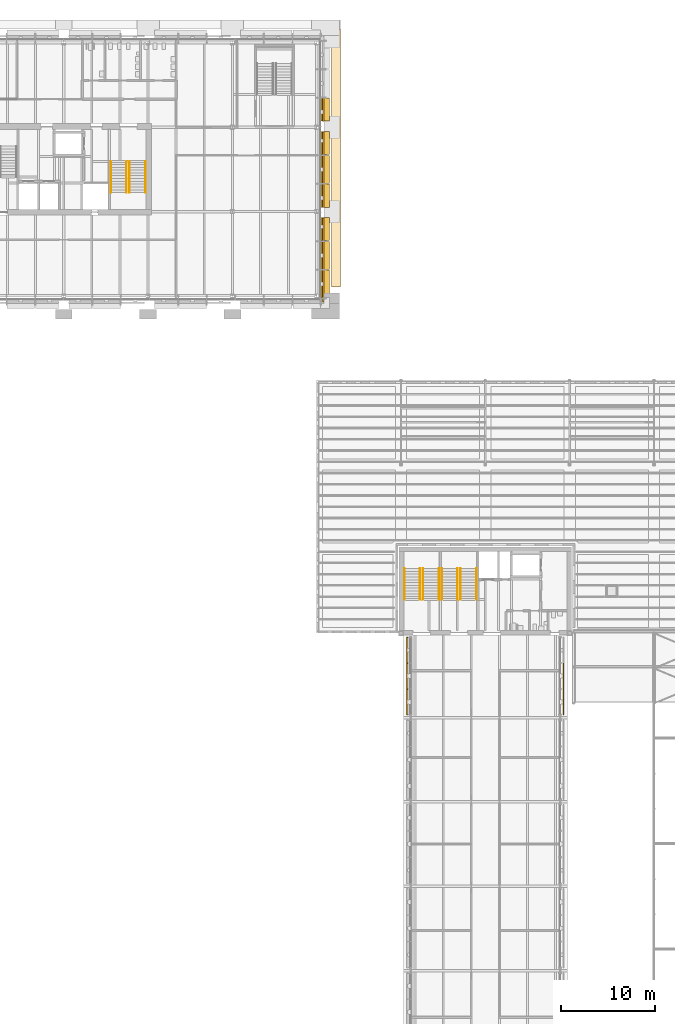
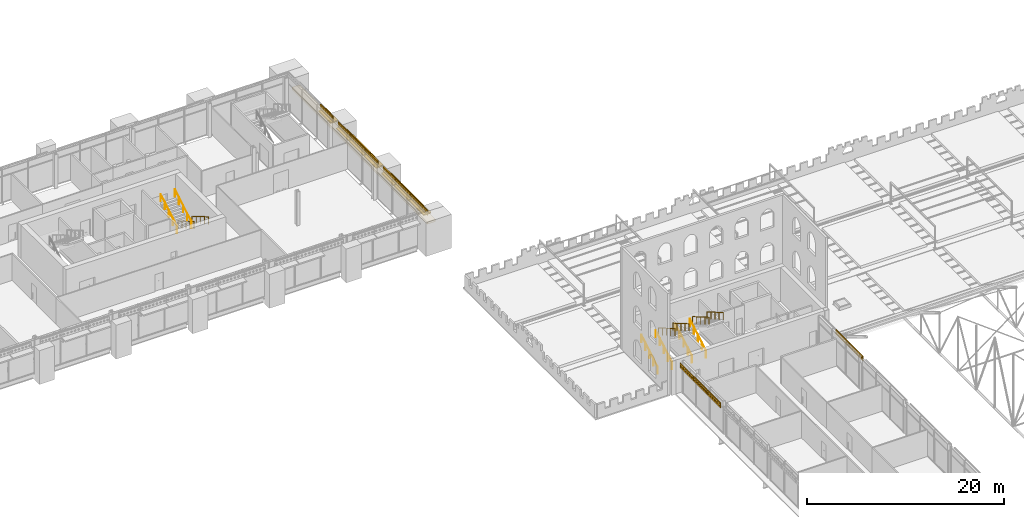
# One storey, part 142 of 153: 19 shading devices, 12 railings, 1 covering.
"""IFC4 building model written with IfcOpenShell, lengths in metres."""

from ifc_helpers import new_model, si_unit, direction, frame, origin, origin_2d, place, context, subcontext, project, spatial, polyline, rectangle, circle, outline, extrude, material, layer, layer_set, type_object, element, save


model = new_model("IFC4")

# Units and contexts
model_context = context("Model", 3, precision=1e-05, world=origin(), true_north=direction((0.0, 1.0)))
body_context = subcontext(model_context, "Body", "Model", "MODEL_VIEW")
ifc_project = project(units=[si_unit("LENGTHUNIT", "METRE"), si_unit("AREAUNIT", "SQUARE_METRE"), si_unit("VOLUMEUNIT", "CUBIC_METRE"), si_unit("PLANEANGLEUNIT", "RADIAN"), si_unit("MASSUNIT", "GRAM", prefix="KILO")], contexts=[model_context])

# Site, building, storey
site_placement = place(None, origin())
site = spatial("IfcSite", under=ifc_project, at=site_placement, CompositionType="ELEMENT")
building_placement = place(site_placement, origin())
building = spatial("IfcBuilding", under=site, at=building_placement, Name="Baradari Gate Terminus", CompositionType="ELEMENT")
storey_placement = place(building_placement, frame((0.0, 0.0, 11.699951171875)))
storey = spatial("IfcBuildingStorey", under=building, at=storey_placement, Name="L02", CompositionType="ELEMENT", Elevation=11.699951171875)

# Shading devices
ifc_material_1 = material(Name="Concrete C40/50 precast", Category="concrete")
ifc_layer_1 = layer(ifc_material_1, 0.14990234375)
ifc_layer_set_1 = layer_set([ifc_layer_1], Name="Concrete C40/50 precast")
shading_device_type_1 = type_object("IfcShadingDeviceType", Name="Chhajja band CJ-1 900x150", PredefinedType="AWNING", material=ifc_layer_set_1)
shading_device_1_placement = place(storey_placement, frame((63.919921875, 118.2763671875, 3.33251953125), z_axis=(0.0, 0.0, 1.0), x_axis=(0.0, 1.0, 0.0)))
element("IfcShadingDevice", 1, at=shading_device_1_placement, inside=storey, type_object=shading_device_type_1, Name="Chhajja band CJ-1 L02/TE bay 1", PredefinedType="AWNING", context=body_context, shape_type="SweptSolid", body=[
    extrude(rectangle(XDim=2.947509765625, YDim=0.89990234375, at=origin_2d()), origin(), (0.0, 0.0, 1.0), 0.14990234375),
])
shading_device_2_placement = place(storey_placement, frame((63.919921875, 121.320068359375, 3.33251953125), z_axis=(0.0, 0.0, 1.0), x_axis=(0.0, 1.0, 0.0)))
element("IfcShadingDevice", 2, at=shading_device_2_placement, inside=storey, type_object=shading_device_type_1, Name="Chhajja band CJ-1 L02/TE bay 2", PredefinedType="AWNING", context=body_context, shape_type="SweptSolid", body=[
    extrude(rectangle(XDim=2.97998046875, YDim=0.89990234375, at=origin_2d()), origin(), (0.0, 0.0, 1.0), 0.14990234375),
])
for number, where, z_axis, x_axis, name in (
    (3, (63.919921875, 124.125, 3.33251953125), (0.0, 0.0, 1.0), (0.0, 1.0, 0.0), "Chhajja band CJ-1 L02/TE bay 3"),
    (4, (63.919921875, 127.695068359375, 3.33251953125), (0.0, 0.0, 1.0), (0.0, 1.0, 0.0), "Chhajja band CJ-1 L02/TE bay 4"),
):
    element("IfcShadingDevice", number, at=place(storey_placement, frame(where, z_axis=z_axis, x_axis=x_axis)), inside=storey, type_object=shading_device_type_1, Name=name, PredefinedType="AWNING", context=body_context, shape_type="SweptSolid", body=[
        extrude(rectangle(XDim=2.469970703125, YDim=0.89990234375, at=origin_2d()), origin(), (0.0, 0.0, 1.0), 0.14990234375),
    ])
shading_device_3_placement = place(storey_placement, frame((63.919921875, 130.5, 3.33251953125), z_axis=(0.0, 0.0, 1.0), x_axis=(0.0, 1.0, 0.0)))
element("IfcShadingDevice", 5, at=shading_device_3_placement, inside=storey, type_object=shading_device_type_1, Name="Chhajja band CJ-1 L02/TE bay 5", PredefinedType="AWNING", context=body_context, shape_type="SweptSolid", body=[
    extrude(rectangle(XDim=2.97998046875, YDim=0.89990234375, at=origin_2d()), origin(), (0.0, 0.0, 1.0), 0.14990234375),
])
for number, where, z_axis, x_axis, name in (
    (6, (63.919921875, 133.304931640625, 3.33251953125), (0.0, 0.0, 1.0), (0.0, 1.0, 0.0), "Chhajja band CJ-1 L02/TE bay 6"),
    (7, (63.919921875, 136.875, 3.33251953125), (0.0, 0.0, 1.0), (0.0, 1.0, 0.0), "Chhajja band CJ-1 L02/TE bay 7"),
):
    element("IfcShadingDevice", number, at=place(storey_placement, frame(where, z_axis=z_axis, x_axis=x_axis)), inside=storey, type_object=shading_device_type_1, Name=name, PredefinedType="AWNING", context=body_context, shape_type="SweptSolid", body=[
        extrude(rectangle(XDim=2.469970703125, YDim=0.89990234375, at=origin_2d()), origin(), (0.0, 0.0, 1.0), 0.14990234375),
    ])

# Covering
ifc_material_2 = material(Name="Sandstone cladding", Category="masonry")
ifc_layer_2 = layer(ifc_material_2, 0.300048828125)
ifc_layer_set_2 = layer_set([ifc_layer_2], Name="Sandstone cladding")
covering_type = type_object("IfcCoveringType", Name="Cornice band CB-1 300", PredefinedType="CLADDING", material=ifc_layer_set_2)
covering_placement = place(storey_placement, frame((65.050048828125, 131.71240234375, 1.2001953125), z_axis=(0.0, 0.0, 1.0), x_axis=(1.0, 0.0, 0.0)))
element("IfcCovering", 8, at=covering_placement, inside=storey, type_object=covering_type, Name="Operations block arcade cornice east", PredefinedType="CLADDING", context=body_context, shape_type="SweptSolid", body=[
    extrude(rectangle(XDim=0.949951171875, YDim=27.52490234375, at=origin_2d()), origin(), (0.0, 0.0, 1.0), 0.300048828125),
])

# Railings
ifc_material_3 = material(Name="Stainless steel 1.4301", Category="steel")
railing_type = type_object("IfcRailingType", Name="Handrail HR-1 900", PredefinedType="HANDRAIL", material=ifc_material_3)
for number, where, name in (
    (9, (72.360107421875, 84.60009765625, 0.175048828125), "Handrail ST-GN1 L02 flight 1"),
    (10, (74.0400390625, 84.60009765625, 0.175048828125), "Handrail ST-GN1 L02 flight 1"),
):
    element("IfcRailing", number, at=place(storey_placement, frame(where)), inside=storey, type_object=railing_type, Name=name, PredefinedType="HANDRAIL", context=body_context, shape_type="SweptSolid", body=[
        extrude(circle(Radius=0.02392578125, at=origin_2d()), frame((0.0, 0.0, 0.8759765625), z_axis=(0.0, 0.863760357493, 0.503902812876), x_axis=(-1.0, 0.0, 0.0)), (0.0, 0.0, 1.0), 3.8203125),
        extrude(circle(Radius=0.02099609375, at=origin_2d()), origin(), (0.0, 0.0, 1.0), 0.851806640625),
        extrude(circle(Radius=0.02099609375, at=origin_2d()), frame((0.0, 0.824951171875, 0.481201171875)), (0.0, 0.0, 1.0), 0.851806640625),
        extrude(circle(Radius=0.02099609375, at=origin_2d()), frame((0.0, 1.64990234375, 0.96240234375)), (0.0, 0.0, 1.0), 0.851806640625),
        extrude(circle(Radius=0.02099609375, at=origin_2d()), frame((0.0, 2.474853515625, 1.44384765625)), (0.0, 0.0, 1.0), 0.851806640625),
        extrude(circle(Radius=0.02099609375, at=origin_2d()), frame((0.0, 3.2998046875, 1.925048828125)), (0.0, 0.0, 1.0), 0.851806640625),
    ])
for number, where, name in (
    (11, (74.360107421875, 87.89990234375, 2.275146484375), "Handrail ST-GN1 L02 flight 2"),
    (12, (76.0400390625, 87.89990234375, 2.275146484375), "Handrail ST-GN1 L02 flight 2"),
):
    element("IfcRailing", number, at=place(storey_placement, frame(where)), inside=storey, type_object=railing_type, Name=name, PredefinedType="HANDRAIL", context=body_context, shape_type="SweptSolid", body=[
        extrude(circle(Radius=0.02392578125, at=origin_2d()), frame((0.0, 0.0, 0.8759765625), z_axis=(0.0, -0.863788172461, 0.503855131081), x_axis=(1.0, 0.0, 0.0)), (0.0, 0.0, 1.0), 3.820068359375),
        extrude(circle(Radius=0.02099609375, at=origin_2d()), origin(), (0.0, 0.0, 1.0), 0.851806640625),
        extrude(circle(Radius=0.02099609375, at=origin_2d()), frame((0.0, -0.824951171875, 0.481201171875)), (0.0, 0.0, 1.0), 0.851806640625),
        extrude(circle(Radius=0.02099609375, at=origin_2d()), frame((0.0, -1.64990234375, 0.96240234375)), (0.0, 0.0, 1.0), 0.851806640625),
        extrude(circle(Radius=0.02099609375, at=origin_2d()), frame((0.0, -2.474853515625, 1.443603515625)), (0.0, 0.0, 1.0), 0.851806640625),
        extrude(circle(Radius=0.02099609375, at=origin_2d()), frame((0.0, -3.2998046875, 1.9248046875)), (0.0, 0.0, 1.0), 0.851806640625),
    ])
for number, where, name in (
    (13, (76.360107421875, 84.60009765625, 0.175048828125), "Handrail ST-GN2 L02 flight 1"),
    (14, (78.0400390625, 84.60009765625, 0.175048828125), "Handrail ST-GN2 L02 flight 1"),
):
    element("IfcRailing", number, at=place(storey_placement, frame(where)), inside=storey, type_object=railing_type, Name=name, PredefinedType="HANDRAIL", context=body_context, shape_type="SweptSolid", body=[
        extrude(circle(Radius=0.02392578125, at=origin_2d()), frame((0.0, 0.0, 0.8759765625), z_axis=(0.0, 0.863760357493, 0.503902812876), x_axis=(-1.0, 0.0, 0.0)), (0.0, 0.0, 1.0), 3.8203125),
        extrude(circle(Radius=0.02099609375, at=origin_2d()), origin(), (0.0, 0.0, 1.0), 0.851806640625),
        extrude(circle(Radius=0.02099609375, at=origin_2d()), frame((0.0, 0.824951171875, 0.481201171875)), (0.0, 0.0, 1.0), 0.851806640625),
        extrude(circle(Radius=0.02099609375, at=origin_2d()), frame((0.0, 1.64990234375, 0.96240234375)), (0.0, 0.0, 1.0), 0.851806640625),
        extrude(circle(Radius=0.02099609375, at=origin_2d()), frame((0.0, 2.474853515625, 1.44384765625)), (0.0, 0.0, 1.0), 0.851806640625),
        extrude(circle(Radius=0.02099609375, at=origin_2d()), frame((0.0, 3.2998046875, 1.925048828125)), (0.0, 0.0, 1.0), 0.851806640625),
    ])
for number, where, name in (
    (15, (78.360107421875, 87.89990234375, 2.275146484375), "Handrail ST-GN2 L02 flight 2"),
    (16, (80.0400390625, 87.89990234375, 2.275146484375), "Handrail ST-GN2 L02 flight 2"),
):
    element("IfcRailing", number, at=place(storey_placement, frame(where)), inside=storey, type_object=railing_type, Name=name, PredefinedType="HANDRAIL", context=body_context, shape_type="SweptSolid", body=[
        extrude(circle(Radius=0.02392578125, at=origin_2d()), frame((0.0, 0.0, 0.8759765625), z_axis=(0.0, -0.863788172461, 0.503855131081), x_axis=(1.0, 0.0, 0.0)), (0.0, 0.0, 1.0), 3.820068359375),
        extrude(circle(Radius=0.02099609375, at=origin_2d()), origin(), (0.0, 0.0, 1.0), 0.851806640625),
        extrude(circle(Radius=0.02099609375, at=origin_2d()), frame((0.0, -0.824951171875, 0.481201171875)), (0.0, 0.0, 1.0), 0.851806640625),
        extrude(circle(Radius=0.02099609375, at=origin_2d()), frame((0.0, -1.64990234375, 0.96240234375)), (0.0, 0.0, 1.0), 0.851806640625),
        extrude(circle(Radius=0.02099609375, at=origin_2d()), frame((0.0, -2.474853515625, 1.443603515625)), (0.0, 0.0, 1.0), 0.851806640625),
        extrude(circle(Radius=0.02099609375, at=origin_2d()), frame((0.0, -3.2998046875, 1.9248046875)), (0.0, 0.0, 1.0), 0.851806640625),
    ])
for number, where, name in (
    (17, (44.715087890625, 131.324951171875, 0.175048828125), "Handrail ST-T2 L02 flight 1"),
    (18, (43.034912109375, 131.324951171875, 0.175048828125), "Handrail ST-T2 L02 flight 1"),
):
    element("IfcRailing", number, at=place(storey_placement, frame(where)), inside=storey, type_object=railing_type, Name=name, PredefinedType="HANDRAIL", context=body_context, shape_type="SweptSolid", body=[
        extrude(circle(Radius=0.02392578125, at=origin_2d()), frame((0.0, 0.0, 0.8759765625), z_axis=(0.0, -0.863776583165, 0.503874998761), x_axis=(1.0, 0.0, 0.0)), (0.0, 0.0, 1.0), 3.820556640625),
        extrude(circle(Radius=0.02099609375, at=origin_2d()), origin(), (0.0, 0.0, 1.0), 0.851806640625),
        extrude(circle(Radius=0.02099609375, at=origin_2d()), frame((0.0, -0.824951171875, 0.481201171875)), (0.0, 0.0, 1.0), 0.851806640625),
        extrude(circle(Radius=0.02099609375, at=origin_2d()), frame((0.0, -1.64990234375, 0.96240234375)), (0.0, 0.0, 1.0), 0.851806640625),
        extrude(circle(Radius=0.02099609375, at=origin_2d()), frame((0.0, -2.47509765625, 1.44384765625)), (0.0, 0.0, 1.0), 0.851806640625),
        extrude(circle(Radius=0.02099609375, at=origin_2d()), frame((0.0, -3.300048828125, 1.925048828125)), (0.0, 0.0, 1.0), 0.851806640625),
    ])
for number, where, name in (
    (19, (42.715087890625, 128.02490234375, 2.275146484375), "Handrail ST-T2 L02 flight 2"),
    (20, (41.034912109375, 128.02490234375, 2.275146484375), "Handrail ST-T2 L02 flight 2"),
):
    element("IfcRailing", number, at=place(storey_placement, frame(where)), inside=storey, type_object=railing_type, Name=name, PredefinedType="HANDRAIL", context=body_context, shape_type="SweptSolid", body=[
        extrude(circle(Radius=0.02392578125, at=origin_2d()), frame((0.0, 0.0, 0.8759765625), z_axis=(0.0, 0.863804395585, 0.503827317807), x_axis=(-1.0, 0.0, 0.0)), (0.0, 0.0, 1.0), 3.8203125),
        extrude(circle(Radius=0.02099609375, at=origin_2d()), origin(), (0.0, 0.0, 1.0), 0.851806640625),
        extrude(circle(Radius=0.02099609375, at=origin_2d()), frame((0.0, 0.824951171875, 0.481201171875)), (0.0, 0.0, 1.0), 0.851806640625),
        extrude(circle(Radius=0.02099609375, at=origin_2d()), frame((0.0, 1.64990234375, 0.96240234375)), (0.0, 0.0, 1.0), 0.851806640625),
        extrude(circle(Radius=0.02099609375, at=origin_2d()), frame((0.0, 2.47509765625, 1.443603515625)), (0.0, 0.0, 1.0), 0.851806640625),
        extrude(circle(Radius=0.02099609375, at=origin_2d()), frame((0.0, 3.300048828125, 1.9248046875)), (0.0, 0.0, 1.0), 0.851806640625),
    ])

# Shading devices
ifc_material_4 = material(Name="Concrete C50/60 precast", Category="concrete")
ifc_layer_3 = layer(ifc_material_4, 0.10009765625)
ifc_layer_set_3 = layer_set([ifc_layer_3], Name="Concrete C50/60 precast")
shading_device_type_2 = type_object("IfcShadingDeviceType", Name="Jali screen panel JS-1 100", PredefinedType="SHUTTER", material=ifc_layer_set_3)
shading_device_4_placement = place(storey_placement, frame((63.719970703125, 116.362548828125, 3.583740234375), z_axis=(0.0, 0.0, 1.0), x_axis=(0.0, 1.0, 0.0)))
element("IfcShadingDevice", 21, at=shading_device_4_placement, inside=storey, type_object=shading_device_type_2, Name="Jali screen panel JS-1 L02/TE bay 1", PredefinedType="SHUTTER", context=body_context, shape_type="SweptSolid", body=[
    extrude(outline(polyline([(0.0, 0.0), (3.407470703125, 0.0), (3.407470703125, 0.60009765625), (0.0, 0.60009765625), (0.0, 0.0)]), holes=[polyline([(0.343017578125, 0.300048828125), (0.278076171875, 0.1875), (0.14794921875, 0.1875), (0.0830078125, 0.300048828125), (0.14794921875, 0.41259765625), (0.278076171875, 0.41259765625), (0.343017578125, 0.300048828125)]), polyline([(0.768798828125, 0.300048828125), (0.703857421875, 0.1875), (0.573974609375, 0.1875), (0.5087890625, 0.300048828125), (0.573974609375, 0.41259765625), (0.703857421875, 0.41259765625), (0.768798828125, 0.300048828125)]), polyline([(1.19482421875, 0.300048828125), (1.1298828125, 0.1875), (0.999755859375, 0.1875), (0.934814453125, 0.300048828125), (0.999755859375, 0.41259765625), (1.1298828125, 0.41259765625), (1.19482421875, 0.300048828125)]), polyline([(1.620849609375, 0.300048828125), (1.5556640625, 0.1875), (1.42578125, 0.1875), (1.36083984375, 0.300048828125), (1.42578125, 0.41259765625), (1.5556640625, 0.41259765625), (1.620849609375, 0.300048828125)]), polyline([(2.046630859375, 0.300048828125), (1.981689453125, 0.1875), (1.851806640625, 0.1875), (1.78662109375, 0.300048828125), (1.851806640625, 0.41259765625), (1.981689453125, 0.41259765625), (2.046630859375, 0.300048828125)]), polyline([(2.47265625, 0.300048828125), (2.40771484375, 0.1875), (2.277587890625, 0.1875), (2.212646484375, 0.300048828125), (2.277587890625, 0.41259765625), (2.40771484375, 0.41259765625), (2.47265625, 0.300048828125)]), polyline([(2.898681640625, 0.300048828125), (2.83349609375, 0.1875), (2.70361328125, 0.1875), (2.638671875, 0.300048828125), (2.70361328125, 0.41259765625), (2.83349609375, 0.41259765625), (2.898681640625, 0.300048828125)]), polyline([(3.324462890625, 0.300048828125), (3.259521484375, 0.1875), (3.129638671875, 0.1875), (3.064453125, 0.300048828125), (3.129638671875, 0.41259765625), (3.259521484375, 0.41259765625), (3.324462890625, 0.300048828125)])]), frame((0.0, 0.050048828125, 0.0), z_axis=(0.0, -1.0, 0.0), x_axis=(1.0, 0.0, 0.0)), (0.0, 0.0, 1.0), 0.10009765625),
])
shading_device_5_placement = place(storey_placement, frame((63.719970703125, 119.81005859375, 3.583740234375), z_axis=(0.0, 0.0, 1.0), x_axis=(0.0, 1.0, 0.0)))
element("IfcShadingDevice", 22, at=shading_device_5_placement, inside=storey, type_object=shading_device_type_2, Name="Jali screen panel JS-1 L02/TE bay 2", PredefinedType="SHUTTER", context=body_context, shape_type="SweptSolid", body=[
    extrude(outline(polyline([(0.0, 0.0), (3.02001953125, 0.0), (3.02001953125, 0.60009765625), (0.0, 0.60009765625), (0.0, 0.0)]), holes=[polyline([(0.345703125, 0.300048828125), (0.28076171875, 0.1875), (0.150634765625, 0.1875), (0.085693359375, 0.300048828125), (0.150634765625, 0.41259765625), (0.28076171875, 0.41259765625), (0.345703125, 0.300048828125)]), polyline([(0.777099609375, 0.300048828125), (0.712158203125, 0.1875), (0.58203125, 0.1875), (0.51708984375, 0.300048828125), (0.58203125, 0.41259765625), (0.712158203125, 0.41259765625), (0.777099609375, 0.300048828125)]), polyline([(1.20849609375, 0.300048828125), (1.1435546875, 0.1875), (1.013671875, 0.1875), (0.948486328125, 0.300048828125), (1.013671875, 0.41259765625), (1.1435546875, 0.41259765625), (1.20849609375, 0.300048828125)]), polyline([(1.639892578125, 0.300048828125), (1.574951171875, 0.1875), (1.445068359375, 0.1875), (1.3798828125, 0.300048828125), (1.445068359375, 0.41259765625), (1.574951171875, 0.41259765625), (1.639892578125, 0.300048828125)]), polyline([(2.071533203125, 0.300048828125), (2.00634765625, 0.1875), (1.87646484375, 0.1875), (1.8115234375, 0.300048828125), (1.87646484375, 0.41259765625), (2.00634765625, 0.41259765625), (2.071533203125, 0.300048828125)]), polyline([(2.5029296875, 0.300048828125), (2.437744140625, 0.1875), (2.307861328125, 0.1875), (2.242919921875, 0.300048828125), (2.307861328125, 0.41259765625), (2.437744140625, 0.41259765625), (2.5029296875, 0.300048828125)]), polyline([(2.934326171875, 0.300048828125), (2.869384765625, 0.1875), (2.7392578125, 0.1875), (2.67431640625, 0.300048828125), (2.7392578125, 0.41259765625), (2.869384765625, 0.41259765625), (2.934326171875, 0.300048828125)])]), frame((0.0, 0.050048828125, 0.0), z_axis=(0.0, -1.0, 0.0), x_axis=(1.0, 0.0, 0.0)), (0.0, 0.0, 1.0), 0.10009765625),
])
for number, where, z_axis, x_axis, name in (
    (23, (63.719970703125, 122.8701171875, 3.583740234375), (0.0, 0.0, 1.0), (0.0, 1.0, 0.0), "Jali screen panel JS-1 L02/TE bay 3"),
    (24, (63.719970703125, 126.4599609375, 3.583740234375), (0.0, 0.0, 1.0), (0.0, 1.0, 0.0), "Jali screen panel JS-1 L02/TE bay 4"),
):
    element("IfcShadingDevice", number, at=place(storey_placement, frame(where, z_axis=z_axis, x_axis=x_axis)), inside=storey, type_object=shading_device_type_2, Name=name, PredefinedType="SHUTTER", context=body_context, shape_type="SweptSolid", body=[
        extrude(outline(polyline([(0.0, 0.0), (2.489990234375, 0.0), (2.489990234375, 0.60009765625), (0.0, 0.60009765625), (0.0, 0.0)]), holes=[polyline([(0.33740234375, 0.300048828125), (0.2724609375, 0.1875), (0.142578125, 0.1875), (0.077392578125, 0.300048828125), (0.142578125, 0.41259765625), (0.2724609375, 0.41259765625), (0.33740234375, 0.300048828125)]), polyline([(0.75244140625, 0.300048828125), (0.6875, 0.1875), (0.5576171875, 0.1875), (0.492431640625, 0.300048828125), (0.5576171875, 0.41259765625), (0.6875, 0.41259765625), (0.75244140625, 0.300048828125)]), polyline([(1.16748046875, 0.300048828125), (1.1025390625, 0.1875), (0.972412109375, 0.1875), (0.907470703125, 0.300048828125), (0.972412109375, 0.41259765625), (1.1025390625, 0.41259765625), (1.16748046875, 0.300048828125)]), polyline([(1.58251953125, 0.300048828125), (1.517578125, 0.1875), (1.387451171875, 0.1875), (1.322509765625, 0.300048828125), (1.387451171875, 0.41259765625), (1.517578125, 0.41259765625), (1.58251953125, 0.300048828125)]), polyline([(1.99755859375, 0.300048828125), (1.9326171875, 0.1875), (1.802490234375, 0.1875), (1.737548828125, 0.300048828125), (1.802490234375, 0.41259765625), (1.9326171875, 0.41259765625), (1.99755859375, 0.300048828125)]), polyline([(2.41259765625, 0.300048828125), (2.347412109375, 0.1875), (2.217529296875, 0.1875), (2.152587890625, 0.300048828125), (2.217529296875, 0.41259765625), (2.347412109375, 0.41259765625), (2.41259765625, 0.300048828125)])]), frame((0.0, 0.050048828125, 0.0), z_axis=(0.0, -1.0, 0.0), x_axis=(1.0, 0.0, 0.0)), (0.0, 0.0, 1.0), 0.10009765625),
    ])
shading_device_6_placement = place(storey_placement, frame((63.719970703125, 128.989990234375, 3.583740234375), z_axis=(0.0, 0.0, 1.0), x_axis=(0.0, 1.0, 0.0)))
element("IfcShadingDevice", 25, at=shading_device_6_placement, inside=storey, type_object=shading_device_type_2, Name="Jali screen panel JS-1 L02/TE bay 5", PredefinedType="SHUTTER", context=body_context, shape_type="SweptSolid", body=[
    extrude(outline(polyline([(0.0, 0.0), (3.02001953125, 0.0), (3.02001953125, 0.60009765625), (0.0, 0.60009765625), (0.0, 0.0)]), holes=[polyline([(0.345703125, 0.300048828125), (0.28076171875, 0.1875), (0.150634765625, 0.1875), (0.085693359375, 0.300048828125), (0.150634765625, 0.41259765625), (0.28076171875, 0.41259765625), (0.345703125, 0.300048828125)]), polyline([(0.777099609375, 0.300048828125), (0.712158203125, 0.1875), (0.58203125, 0.1875), (0.51708984375, 0.300048828125), (0.58203125, 0.41259765625), (0.712158203125, 0.41259765625), (0.777099609375, 0.300048828125)]), polyline([(1.20849609375, 0.300048828125), (1.1435546875, 0.1875), (1.013671875, 0.1875), (0.948486328125, 0.300048828125), (1.013671875, 0.41259765625), (1.1435546875, 0.41259765625), (1.20849609375, 0.300048828125)]), polyline([(1.639892578125, 0.300048828125), (1.574951171875, 0.1875), (1.445068359375, 0.1875), (1.3798828125, 0.300048828125), (1.445068359375, 0.41259765625), (1.574951171875, 0.41259765625), (1.639892578125, 0.300048828125)]), polyline([(2.071533203125, 0.300048828125), (2.00634765625, 0.1875), (1.87646484375, 0.1875), (1.8115234375, 0.300048828125), (1.87646484375, 0.41259765625), (2.00634765625, 0.41259765625), (2.071533203125, 0.300048828125)]), polyline([(2.5029296875, 0.300048828125), (2.437744140625, 0.1875), (2.307861328125, 0.1875), (2.242919921875, 0.300048828125), (2.307861328125, 0.41259765625), (2.437744140625, 0.41259765625), (2.5029296875, 0.300048828125)]), polyline([(2.934326171875, 0.300048828125), (2.869384765625, 0.1875), (2.7392578125, 0.1875), (2.67431640625, 0.300048828125), (2.7392578125, 0.41259765625), (2.869384765625, 0.41259765625), (2.934326171875, 0.300048828125)])]), frame((0.0, 0.050048828125, 0.0), z_axis=(0.0, -1.0, 0.0), x_axis=(1.0, 0.0, 0.0)), (0.0, 0.0, 1.0), 0.10009765625),
])
for number, where, z_axis, x_axis, name in (
    (26, (63.719970703125, 132.050048828125, 3.583740234375), (0.0, 0.0, 1.0), (0.0, 1.0, 0.0), "Jali screen panel JS-1 L02/TE bay 6"),
    (27, (63.719970703125, 135.639892578125, 3.583740234375), (0.0, 0.0, 1.0), (0.0, 1.0, 0.0), "Jali screen panel JS-1 L02/TE bay 7"),
):
    element("IfcShadingDevice", number, at=place(storey_placement, frame(where, z_axis=z_axis, x_axis=x_axis)), inside=storey, type_object=shading_device_type_2, Name=name, PredefinedType="SHUTTER", context=body_context, shape_type="SweptSolid", body=[
        extrude(outline(polyline([(0.0, 0.0), (2.489990234375, 0.0), (2.489990234375, 0.60009765625), (0.0, 0.60009765625), (0.0, 0.0)]), holes=[polyline([(0.33740234375, 0.300048828125), (0.2724609375, 0.1875), (0.142578125, 0.1875), (0.077392578125, 0.300048828125), (0.142578125, 0.41259765625), (0.2724609375, 0.41259765625), (0.33740234375, 0.300048828125)]), polyline([(0.75244140625, 0.300048828125), (0.6875, 0.1875), (0.5576171875, 0.1875), (0.492431640625, 0.300048828125), (0.5576171875, 0.41259765625), (0.6875, 0.41259765625), (0.75244140625, 0.300048828125)]), polyline([(1.16748046875, 0.300048828125), (1.1025390625, 0.1875), (0.972412109375, 0.1875), (0.907470703125, 0.300048828125), (0.972412109375, 0.41259765625), (1.1025390625, 0.41259765625), (1.16748046875, 0.300048828125)]), polyline([(1.58251953125, 0.300048828125), (1.517578125, 0.1875), (1.387451171875, 0.1875), (1.322509765625, 0.300048828125), (1.387451171875, 0.41259765625), (1.517578125, 0.41259765625), (1.58251953125, 0.300048828125)]), polyline([(1.99755859375, 0.300048828125), (1.9326171875, 0.1875), (1.802490234375, 0.1875), (1.737548828125, 0.300048828125), (1.802490234375, 0.41259765625), (1.9326171875, 0.41259765625), (1.99755859375, 0.300048828125)]), polyline([(2.41259765625, 0.300048828125), (2.347412109375, 0.1875), (2.217529296875, 0.1875), (2.152587890625, 0.300048828125), (2.217529296875, 0.41259765625), (2.347412109375, 0.41259765625), (2.41259765625, 0.300048828125)])]), frame((0.0, 0.050048828125, 0.0), z_axis=(0.0, -1.0, 0.0), x_axis=(1.0, 0.0, 0.0)), (0.0, 0.0, 1.0), 0.10009765625),
    ])
ifc_material_5 = material(Name="Concrete C50/60 precast", Category="concrete")
ifc_layer_4 = layer(ifc_material_5, 0.080078125)
ifc_layer_set_4 = layer_set([ifc_layer_4], Name="Concrete C50/60 precast")
shading_device_type_3 = type_object("IfcShadingDeviceType", Name="Jali screen panel JS-3 80", PredefinedType="SHUTTER", material=ifc_layer_set_4)
shading_device_7_placement = place(storey_placement, frame((72.659912109375, 72.2900390625, 3.280029296875), z_axis=(0.0, 0.0, 1.0), x_axis=(0.0, 1.0, 0.0)))
element("IfcShadingDevice", 28, at=shading_device_7_placement, inside=storey, type_object=shading_device_type_3, Name="Jali screen panel JS-1 L02/GW5 bay 1", PredefinedType="SHUTTER", context=body_context, shape_type="SweptSolid", body=[
    extrude(outline(polyline([(0.0, 0.0), (2.723388671875, 0.0), (2.723388671875, 0.60009765625), (0.0, 0.60009765625), (0.0, 0.0)]), holes=[polyline([(0.35693359375, 0.300048828125), (0.2919921875, 0.1875), (0.161865234375, 0.1875), (0.096923828125, 0.300048828125), (0.161865234375, 0.41259765625), (0.2919921875, 0.41259765625), (0.35693359375, 0.300048828125)]), polyline([(0.810791015625, 0.300048828125), (0.745849609375, 0.1875), (0.61572265625, 0.1875), (0.55078125, 0.300048828125), (0.61572265625, 0.41259765625), (0.745849609375, 0.41259765625), (0.810791015625, 0.300048828125)]), polyline([(1.2646484375, 0.300048828125), (1.19970703125, 0.1875), (1.06982421875, 0.1875), (1.004638671875, 0.300048828125), (1.06982421875, 0.41259765625), (1.19970703125, 0.41259765625), (1.2646484375, 0.300048828125)]), polyline([(1.718505859375, 0.300048828125), (1.653564453125, 0.1875), (1.523681640625, 0.1875), (1.45849609375, 0.300048828125), (1.523681640625, 0.41259765625), (1.653564453125, 0.41259765625), (1.718505859375, 0.300048828125)]), polyline([(2.172607421875, 0.300048828125), (2.107421875, 0.1875), (1.9775390625, 0.1875), (1.91259765625, 0.300048828125), (1.9775390625, 0.41259765625), (2.107421875, 0.41259765625), (2.172607421875, 0.300048828125)]), polyline([(2.62646484375, 0.300048828125), (2.561279296875, 0.1875), (2.431396484375, 0.1875), (2.366455078125, 0.300048828125), (2.431396484375, 0.41259765625), (2.561279296875, 0.41259765625), (2.62646484375, 0.300048828125)])]), frame((0.0, 0.0400390625, 0.0), z_axis=(0.0, -1.0, 0.0), x_axis=(1.0, 0.0, 0.0)), (0.0, 0.0, 1.0), 0.080078125),
])
shading_device_8_placement = place(storey_placement, frame((72.659912109375, 75.05322265625, 3.280029296875), z_axis=(0.0, 0.0, 1.0), x_axis=(0.0, 1.0, 0.0)))
element("IfcShadingDevice", 29, at=shading_device_8_placement, inside=storey, type_object=shading_device_type_3, Name="Jali screen panel JS-1 L02/GW5 bay 2", PredefinedType="SHUTTER", context=body_context, shape_type="SweptSolid", body=[
    extrude(outline(polyline([(0.0, 0.0), (2.743408203125, 0.0), (2.743408203125, 0.60009765625), (0.0, 0.60009765625), (0.0, 0.0)]), holes=[polyline([(0.325927734375, 0.300048828125), (0.260986328125, 0.1875), (0.130859375, 0.1875), (0.06591796875, 0.300048828125), (0.130859375, 0.41259765625), (0.260986328125, 0.41259765625), (0.325927734375, 0.300048828125)]), polyline([(0.7177734375, 0.300048828125), (0.65283203125, 0.1875), (0.52294921875, 0.1875), (0.457763671875, 0.300048828125), (0.52294921875, 0.41259765625), (0.65283203125, 0.41259765625), (0.7177734375, 0.300048828125)]), polyline([(1.10986328125, 0.300048828125), (1.044677734375, 0.1875), (0.914794921875, 0.1875), (0.849853515625, 0.300048828125), (0.914794921875, 0.41259765625), (1.044677734375, 0.41259765625), (1.10986328125, 0.300048828125)]), polyline([(1.501708984375, 0.300048828125), (1.436767578125, 0.1875), (1.306640625, 0.1875), (1.24169921875, 0.300048828125), (1.306640625, 0.41259765625), (1.436767578125, 0.41259765625), (1.501708984375, 0.300048828125)]), polyline([(1.8935546875, 0.300048828125), (1.82861328125, 0.1875), (1.698486328125, 0.1875), (1.633544921875, 0.300048828125), (1.698486328125, 0.41259765625), (1.82861328125, 0.41259765625), (1.8935546875, 0.300048828125)]), polyline([(2.285400390625, 0.300048828125), (2.220458984375, 0.1875), (2.090576171875, 0.1875), (2.025390625, 0.300048828125), (2.090576171875, 0.41259765625), (2.220458984375, 0.41259765625), (2.285400390625, 0.300048828125)]), polyline([(2.677490234375, 0.300048828125), (2.6123046875, 0.1875), (2.482421875, 0.1875), (2.41748046875, 0.300048828125), (2.482421875, 0.41259765625), (2.6123046875, 0.41259765625), (2.677490234375, 0.300048828125)])]), frame((0.0, 0.0400390625, 0.0), z_axis=(0.0, -1.0, 0.0), x_axis=(1.0, 0.0, 0.0)), (0.0, 0.0, 1.0), 0.080078125),
])
for number, where, z_axis, x_axis, name in (
    (30, (72.659912109375, 77.836669921875, 3.280029296875), (0.0, 0.0, 1.0), (0.0, 1.0, 0.0), "Jali screen panel JS-1 L02/GW5 bay 3"),
    (31, (89.340087890625, 72.2900390625, 3.280029296875), (0.0, 0.0, 1.0), (0.0, 1.0, 0.0), "Jali screen panel JS-1 L02/GE5 bay 1"),
):
    element("IfcShadingDevice", number, at=place(storey_placement, frame(where, z_axis=z_axis, x_axis=x_axis)), inside=storey, type_object=shading_device_type_3, Name=name, PredefinedType="SHUTTER", context=body_context, shape_type="SweptSolid", body=[
        extrude(outline(polyline([(0.0, 0.0), (2.723388671875, 0.0), (2.723388671875, 0.60009765625), (0.0, 0.60009765625), (0.0, 0.0)]), holes=[polyline([(0.35693359375, 0.300048828125), (0.2919921875, 0.1875), (0.161865234375, 0.1875), (0.096923828125, 0.300048828125), (0.161865234375, 0.41259765625), (0.2919921875, 0.41259765625), (0.35693359375, 0.300048828125)]), polyline([(0.810791015625, 0.300048828125), (0.745849609375, 0.1875), (0.61572265625, 0.1875), (0.55078125, 0.300048828125), (0.61572265625, 0.41259765625), (0.745849609375, 0.41259765625), (0.810791015625, 0.300048828125)]), polyline([(1.2646484375, 0.300048828125), (1.19970703125, 0.1875), (1.06982421875, 0.1875), (1.004638671875, 0.300048828125), (1.06982421875, 0.41259765625), (1.19970703125, 0.41259765625), (1.2646484375, 0.300048828125)]), polyline([(1.718505859375, 0.300048828125), (1.653564453125, 0.1875), (1.523681640625, 0.1875), (1.45849609375, 0.300048828125), (1.523681640625, 0.41259765625), (1.653564453125, 0.41259765625), (1.718505859375, 0.300048828125)]), polyline([(2.172607421875, 0.300048828125), (2.107421875, 0.1875), (1.9775390625, 0.1875), (1.91259765625, 0.300048828125), (1.9775390625, 0.41259765625), (2.107421875, 0.41259765625), (2.172607421875, 0.300048828125)]), polyline([(2.62646484375, 0.300048828125), (2.561279296875, 0.1875), (2.431396484375, 0.1875), (2.366455078125, 0.300048828125), (2.431396484375, 0.41259765625), (2.561279296875, 0.41259765625), (2.62646484375, 0.300048828125)])]), frame((0.0, 0.0400390625, 0.0), z_axis=(0.0, -1.0, 0.0), x_axis=(1.0, 0.0, 0.0)), (0.0, 0.0, 1.0), 0.080078125),
    ])
shading_device_9_placement = place(storey_placement, frame((89.340087890625, 75.05322265625, 3.280029296875), z_axis=(0.0, 0.0, 1.0), x_axis=(0.0, 1.0, 0.0)))
element("IfcShadingDevice", 32, at=shading_device_9_placement, inside=storey, type_object=shading_device_type_3, Name="Jali screen panel JS-1 L02/GE5 bay 2", PredefinedType="SHUTTER", context=body_context, shape_type="SweptSolid", body=[
    extrude(outline(polyline([(0.0, 0.0), (2.743408203125, 0.0), (2.743408203125, 0.60009765625), (0.0, 0.60009765625), (0.0, 0.0)]), holes=[polyline([(0.325927734375, 0.300048828125), (0.260986328125, 0.1875), (0.130859375, 0.1875), (0.06591796875, 0.300048828125), (0.130859375, 0.41259765625), (0.260986328125, 0.41259765625), (0.325927734375, 0.300048828125)]), polyline([(0.7177734375, 0.300048828125), (0.65283203125, 0.1875), (0.52294921875, 0.1875), (0.457763671875, 0.300048828125), (0.52294921875, 0.41259765625), (0.65283203125, 0.41259765625), (0.7177734375, 0.300048828125)]), polyline([(1.10986328125, 0.300048828125), (1.044677734375, 0.1875), (0.914794921875, 0.1875), (0.849853515625, 0.300048828125), (0.914794921875, 0.41259765625), (1.044677734375, 0.41259765625), (1.10986328125, 0.300048828125)]), polyline([(1.501708984375, 0.300048828125), (1.436767578125, 0.1875), (1.306640625, 0.1875), (1.24169921875, 0.300048828125), (1.306640625, 0.41259765625), (1.436767578125, 0.41259765625), (1.501708984375, 0.300048828125)]), polyline([(1.8935546875, 0.300048828125), (1.82861328125, 0.1875), (1.698486328125, 0.1875), (1.633544921875, 0.300048828125), (1.698486328125, 0.41259765625), (1.82861328125, 0.41259765625), (1.8935546875, 0.300048828125)]), polyline([(2.285400390625, 0.300048828125), (2.220458984375, 0.1875), (2.090576171875, 0.1875), (2.025390625, 0.300048828125), (2.090576171875, 0.41259765625), (2.220458984375, 0.41259765625), (2.285400390625, 0.300048828125)]), polyline([(2.677490234375, 0.300048828125), (2.6123046875, 0.1875), (2.482421875, 0.1875), (2.41748046875, 0.300048828125), (2.482421875, 0.41259765625), (2.6123046875, 0.41259765625), (2.677490234375, 0.300048828125)])]), frame((0.0, 0.0400390625, 0.0), z_axis=(0.0, -1.0, 0.0), x_axis=(1.0, 0.0, 0.0)), (0.0, 0.0, 1.0), 0.080078125),
])

save(model, "model.ifc")
